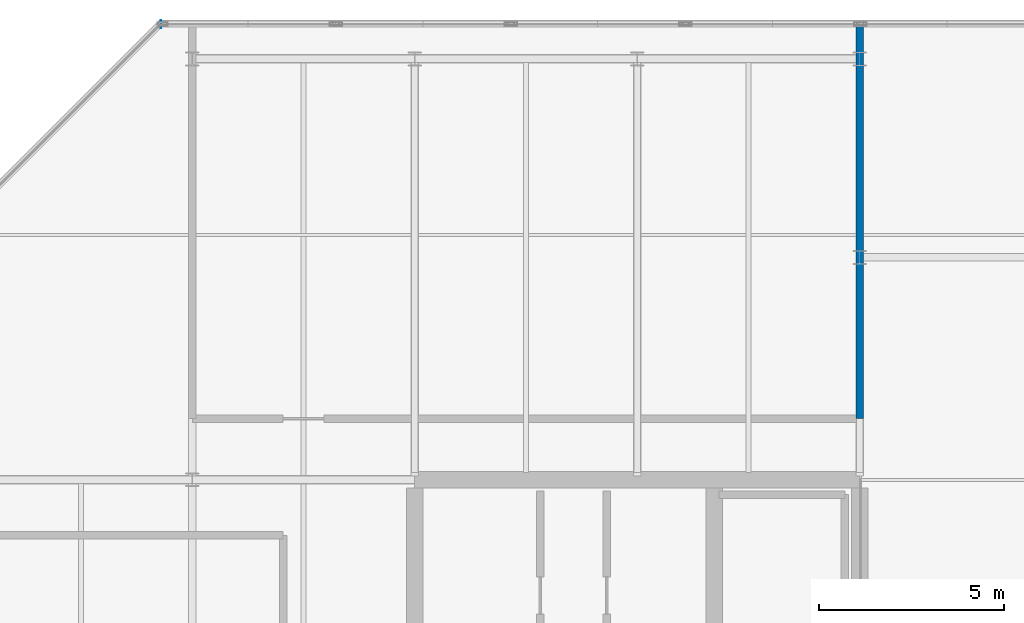
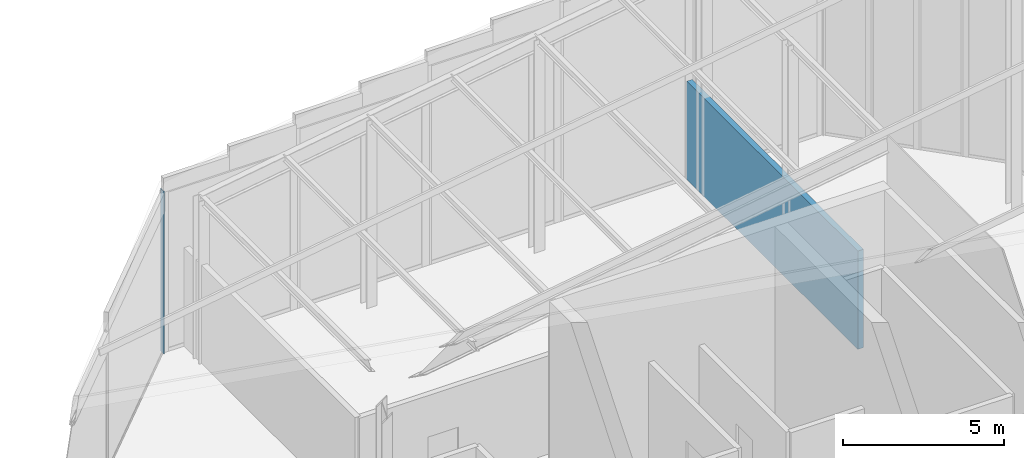
# One storey, part 28 of 30: 2 walls.
"""IFC4 building model written with IfcOpenShell, lengths in metres."""

from ifc_helpers import new_model, si_unit, direction, frame, frame_2d, origin, place, context, subcontext, project, spatial, rectangle, extrude, material, layer, layer_set, type_object, element, save


model = new_model("IFC4")

# Units and contexts
model_context = context("Model", 3, precision=1e-05, world=origin(), true_north=direction((0.0, 1.0)))
body_context = subcontext(model_context, "Body", "Model", "MODEL_VIEW")
ifc_project = project(units=[si_unit("LENGTHUNIT", "METRE"), si_unit("AREAUNIT", "SQUARE_METRE"), si_unit("VOLUMEUNIT", "CUBIC_METRE"), si_unit("PLANEANGLEUNIT", "RADIAN"), si_unit("MASSUNIT", "GRAM", prefix="KILO")], contexts=[model_context])

# Site, building, storey
site_placement = place(None, origin())
site = spatial("IfcSite", under=ifc_project, at=site_placement, CompositionType="ELEMENT")
building_placement = place(site_placement, origin())
building = spatial("IfcBuilding", under=site, at=building_placement, Name="Tanjung Sevakor Pilgrim Tower", CompositionType="ELEMENT")
storey_placement = place(building_placement, frame((0.0, 0.0, 287.760009765625)))
storey = spatial("IfcBuildingStorey", under=building, at=storey_placement, Name="L80", CompositionType="ELEMENT", Elevation=287.760009765625)

# Walls
ifc_material_1 = material(Name="Precast concrete C45/55", Category="concrete")
ifc_layer_1 = layer(ifc_material_1, 0.219970703125)
ifc_layer_set_1 = layer_set([ifc_layer_1], Name="WT-EW-STN4")
wall_type_1 = type_object("IfcWallType", Name="WT-EW-STN4", PredefinedType="SOLIDWALL", material=ifc_layer_set_1)
wall_1_placement = place(storey_placement, frame((71.16552734375, 54.889892578125, 0.0), z_axis=(0.0, 0.0, 1.0), x_axis=(-1.0, 0.0, 0.0)))
element("IfcWall", 1, at=wall_1_placement, inside=storey, type_object=wall_type_1, Name="L80 EAST Crown Pier 4-1B", PredefinedType="SOLIDWALL", context=body_context, shape_type="SweptSolid", body=[
    extrude(rectangle(XDim=0.02001953125, YDim=0.219970703125, at=frame_2d((0.010009765625, 0.0))), origin(), (0.0, 0.0, 1.0), 6.15234375),
])
ifc_material_2 = material(Name="Concrete C40/50", Category="concrete")
ifc_layer_2 = layer(ifc_material_2, 0.199951171875)
ifc_layer_set_2 = layer_set([ifc_layer_2], Name="WT-FPRT-200")
wall_type_2 = type_object("IfcWallType", Name="WT-FPRT-200", PredefinedType="SOLIDWALL", material=ifc_layer_set_2)
wall_2_placement = place(storey_placement, frame((90.0, 44.25, 0.0), z_axis=(0.0, 0.0, 1.0), x_axis=(0.0, 1.0, 0.0)))
element("IfcWall", 2, at=wall_2_placement, inside=storey, type_object=wall_type_2, Name="L80 Partition IW-L80-021", PredefinedType="SOLIDWALL", context=body_context, shape_type="SweptSolid", body=[
    extrude(rectangle(XDim=10.610107421875, YDim=0.199951171875, at=frame_2d((5.30517578125, 0.0))), origin(), (0.0, 0.0, 1.0), 3.719970703125),
])

save(model, "model.ifc")
